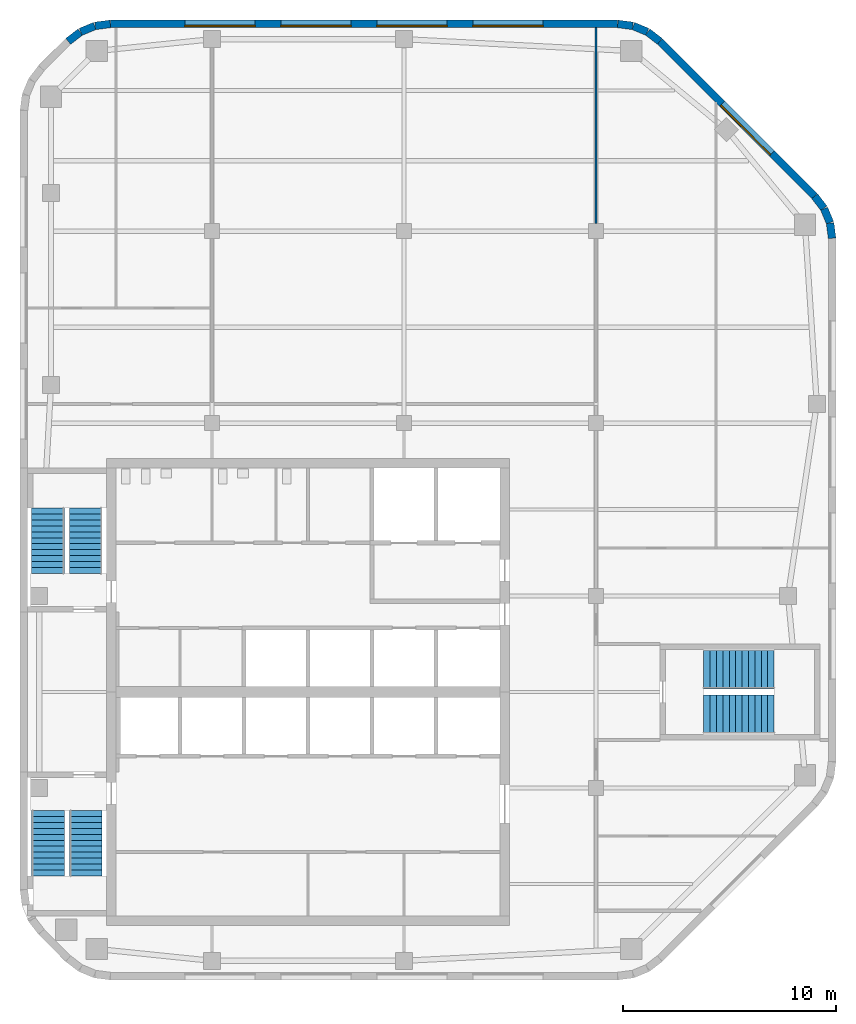
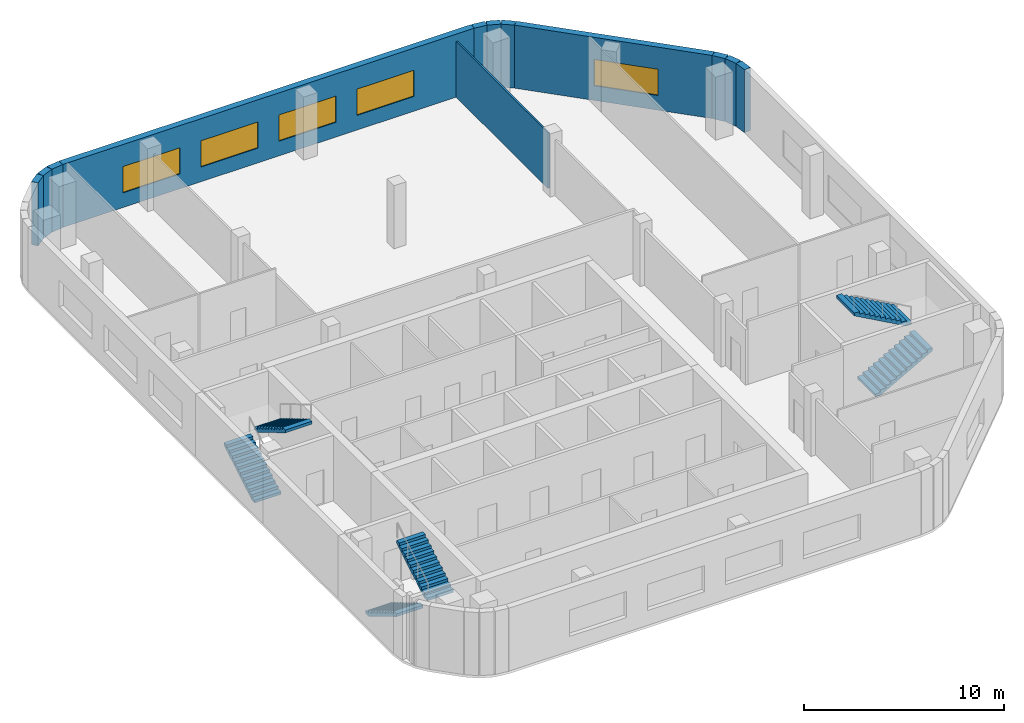
# One storey, part 5 of 7: 12 walls, 6 stair flights, 5 windows, 5 openings, 3 elements without a shape of their own.
"""IFC4 building model written with IfcOpenShell, lengths in metres."""

from ifc_helpers import new_model, si_unit, direction, frame, frame_2d, origin, place, context, subcontext, project, spatial, polyline, rectangle, outline, extrude, material, layer, layer_set, type_object, element, fill, aggregate, save


model = new_model("IFC4")

# Units and contexts
model_context = context("Model", 3, precision=1e-05, world=origin(), true_north=direction((0.0, 1.0)))
body_context = subcontext(model_context, "Body", "Model", "MODEL_VIEW")
ifc_project = project(units=[si_unit("LENGTHUNIT", "METRE"), si_unit("AREAUNIT", "SQUARE_METRE"), si_unit("VOLUMEUNIT", "CUBIC_METRE"), si_unit("PLANEANGLEUNIT", "RADIAN"), si_unit("MASSUNIT", "GRAM", prefix="KILO")], contexts=[model_context])

# Site, building, storey
site_placement = place(None, origin())
site = spatial("IfcSite", under=ifc_project, at=site_placement, CompositionType="ELEMENT")
building_placement = place(site_placement, origin())
building = spatial("IfcBuilding", under=site, at=building_placement, Name="Cinnabar Reach Civic Tower", CompositionType="ELEMENT")
storey_placement = place(building_placement, frame((0.0, 0.0, 275.0)))
storey = spatial("IfcBuildingStorey", under=building, at=storey_placement, Name="L66", CompositionType="ELEMENT", Elevation=275.0)

# Walls
ifc_material_1 = material(Name="Facing brick with insulated backing", Category="masonry")
ifc_layer_1 = layer(ifc_material_1, 0.36)
ifc_layer_set_1 = layer_set([ifc_layer_1], Name="Brick corner wall")
wall_type_1 = type_object("IfcWallType", Name="Brick corner wall", PredefinedType="STANDARD", material=ifc_layer_set_1)
for number, where, z_axis, x_axis, name in (
    (1, (38.067, 52.7686, 0.0), (0.0, 0.0, 1.0), (-0.13055608231, 0.99144092581, 0.0), "Brick corner wall"),
    (2, (37.9681, 53.4973, 0.0), (0.0, 0.0, 1.0), (-0.382702709855, 0.923871547278, 0.0), "Brick corner wall"),
):
    element("IfcWall", number, at=place(storey_placement, frame(where, z_axis=z_axis, x_axis=x_axis)), inside=storey, type_object=wall_type_1, Name=name, PredefinedType="STANDARD", context=body_context, shape_type="SweptSolid", body=[
        extrude(rectangle(XDim=0.7131, YDim=0.36, at=frame_2d((0.3565, 0.0))), origin(), (0.0, 0.0, 1.0), 3.85),
    ])
for number, where, z_axis, x_axis, name in (
    (3, (37.684, 54.1755, 0.0), (0.0, 0.0, 1.0), (-0.608802368033, 0.793321924995, 0.0), "Brick corner wall"),
    (4, (29.9913, 61.9998, 0.0), (0.0, 0.0, 1.0), (-0.793321924995, 0.608802368033, 0.0), "Brick corner wall"),
):
    element("IfcWall", number, at=place(storey_placement, frame(where, z_axis=z_axis, x_axis=x_axis)), inside=storey, type_object=wall_type_1, Name=name, PredefinedType="STANDARD", context=body_context, shape_type="SweptSolid", body=[
        extrude(rectangle(XDim=0.7132, YDim=0.36, at=frame_2d((0.3566, 0.0))), origin(), (0.0, 0.0, 1.0), 3.85),
    ])
for number, where, z_axis, x_axis, name in (
    (5, (29.4061, 62.4452, 0.0), (0.0, 0.0, 1.0), (-0.923871547278, 0.382702709855, 0.0), "Brick corner wall"),
    (6, (28.7256, 62.7239, 0.0), (0.0, 0.0, 1.0), (-0.99144092581, 0.13055608231, 0.0), "Brick corner wall"),
    (7, (4.2314, 62.817, 0.0), (0.0, 0.0, 1.0), (-0.99144092581, -0.13055608231, 0.0), "Brick corner wall"),
    (8, (3.5027, 62.7181, 0.0), (0.0, 0.0, 1.0), (-0.923871547278, -0.382702709855, 0.0), "Brick corner wall"),
):
    element("IfcWall", number, at=place(storey_placement, frame(where, z_axis=z_axis, x_axis=x_axis)), inside=storey, type_object=wall_type_1, Name=name, PredefinedType="STANDARD", context=body_context, shape_type="SweptSolid", body=[
        extrude(rectangle(XDim=0.7131, YDim=0.36, at=frame_2d((0.3565, 0.0))), origin(), (0.0, 0.0, 1.0), 3.85),
    ])
wall_1_placement = place(storey_placement, frame((2.8245, 62.434, 0.0), z_axis=(0.0, 0.0, 1.0), x_axis=(-0.793321924995, -0.608802368033, 0.0)))
element("IfcWall", 9, at=wall_1_placement, inside=storey, type_object=wall_type_1, Name="Brick corner wall", PredefinedType="STANDARD", context=body_context, shape_type="SweptSolid", body=[
    extrude(rectangle(XDim=0.7132, YDim=0.36, at=frame_2d((0.3566, 0.0))), origin(), (0.0, 0.0, 1.0), 3.85),
])

# Wall, opening, window
ifc_layer_2 = layer(ifc_material_1, 0.36)
ifc_layer_set_2 = layer_set([ifc_layer_2], Name="Brick pier and spandrel wall")
wall_type_2 = type_object("IfcWallType", Name="Brick pier and spandrel wall", PredefinedType="STANDARD", material=ifc_layer_set_2)
wall_2_placement = place(storey_placement, frame((37.244, 54.7514, 0.0), z_axis=(0.0, 0.0, 1.0), x_axis=(-0.707106781187, 0.707106781187, 0.0)))
wall_2 = element("IfcWall", 10, at=wall_2_placement, inside=storey, type_object=wall_type_2, Name="Brick facade wall", PredefinedType="STANDARD", context=body_context, shape_type="SweptSolid", body=[
    extrude(rectangle(XDim=10.2426, YDim=0.36, at=frame_2d((5.1213, 0.0))), origin(), (0.0, 0.0, 1.0), 3.85),
])
opening_1_placement = place(wall_2_placement, frame((2.8213, 0.0, 0.9)))
opening_1 = element("IfcOpeningElement", 11, at=opening_1_placement, cuts=wall_2, Name="Opening W2305", PredefinedType="OPENING", context=body_context, shape_type="SweptSolid", body=[
    extrude(rectangle(XDim=3.3, YDim=1.6, at=frame_2d((1.65, 0.8))), frame((0.0, 0.19, 0.0), z_axis=(0.0, -1.0, 0.0), x_axis=(1.0, 0.0, 0.0)), (0.0, 0.0, 1.0), 0.38),
])
ifc_material_2 = material(Name="Clear double glazing in aluminium frame", Category="aluminium")
window_type = type_object("IfcWindowType", Name="Deep-set window A", PartitioningType="SINGLE_PANEL", PredefinedType="WINDOW", material=ifc_material_2)
window_1_placement = place(opening_1_placement, origin())
window_1 = element("IfcWindow", 12, at=window_1_placement, inside=storey, type_object=window_type, Name="Window northeast face", OverallHeight=1.6, OverallWidth=3.3, PartitioningType="SINGLE_PANEL", PredefinedType="WINDOW", context=body_context, shape_type="SweptSolid", body=[
    extrude(rectangle(XDim=3.3, YDim=1.6, at=frame_2d((1.65, 0.8))), frame((0.0, 0.13, 0.0), z_axis=(0.0, -1.0, 0.0), x_axis=(1.0, 0.0, 0.0)), (0.0, 0.0, 1.0), 0.06),
])
fill(opening_1, window_1)

# Wall, openings, windows
wall_3_placement = place(storey_placement, frame((28.0074, 62.82, 0.0), z_axis=(0.0, 0.0, 1.0), x_axis=(-1.0, 0.0, 0.0)))
wall_3 = element("IfcWall", 13, at=wall_3_placement, inside=storey, type_object=wall_type_2, Name="Brick facade wall", PredefinedType="STANDARD", context=body_context, shape_type="SweptSolid", body=[
    extrude(rectangle(XDim=23.7648, YDim=0.36, at=frame_2d((11.8824, 0.0))), origin(), (0.0, 0.0, 1.0), 3.85),
])
opening_2_placement = place(wall_3_placement, frame((3.4824, 0.0, 0.9)))
opening_2 = element("IfcOpeningElement", 14, at=opening_2_placement, cuts=wall_3, Name="Opening W2306", PredefinedType="OPENING", context=body_context, shape_type="SweptSolid", body=[
    extrude(rectangle(XDim=3.3, YDim=1.6, at=frame_2d((1.65, 0.8))), frame((0.0, 0.19, 0.0), z_axis=(0.0, -1.0, 0.0), x_axis=(1.0, 0.0, 0.0)), (0.0, 0.0, 1.0), 0.38),
])
opening_3_placement = place(wall_3_placement, frame((7.9824, 0.0, 0.9)))
opening_3 = element("IfcOpeningElement", 15, at=opening_3_placement, cuts=wall_3, Name="Opening W2307", PredefinedType="OPENING", context=body_context, shape_type="SweptSolid", body=[
    extrude(rectangle(XDim=3.3, YDim=1.6, at=frame_2d((1.65, 0.8))), frame((0.0, 0.19, 0.0), z_axis=(0.0, -1.0, 0.0), x_axis=(1.0, 0.0, 0.0)), (0.0, 0.0, 1.0), 0.38),
])
opening_4_placement = place(wall_3_placement, frame((12.4824, 0.0, 0.9)))
opening_4 = element("IfcOpeningElement", 16, at=opening_4_placement, cuts=wall_3, Name="Opening W2308", PredefinedType="OPENING", context=body_context, shape_type="SweptSolid", body=[
    extrude(rectangle(XDim=3.3, YDim=1.6, at=frame_2d((1.65, 0.8))), frame((0.0, 0.19, 0.0), z_axis=(0.0, -1.0, 0.0), x_axis=(1.0, 0.0, 0.0)), (0.0, 0.0, 1.0), 0.38),
])
opening_5_placement = place(wall_3_placement, frame((16.9824, 0.0, 0.9)))
opening_5 = element("IfcOpeningElement", 17, at=opening_5_placement, cuts=wall_3, Name="Opening W2309", PredefinedType="OPENING", context=body_context, shape_type="SweptSolid", body=[
    extrude(rectangle(XDim=3.3, YDim=1.6, at=frame_2d((1.65, 0.8))), frame((0.0, 0.19, 0.0), z_axis=(0.0, -1.0, 0.0), x_axis=(1.0, 0.0, 0.0)), (0.0, 0.0, 1.0), 0.38),
])
window_2_placement = place(opening_2_placement, origin())
window_2 = element("IfcWindow", 18, at=window_2_placement, inside=storey, type_object=window_type, Name="Window north face", OverallHeight=1.6, OverallWidth=3.3, PartitioningType="SINGLE_PANEL", PredefinedType="WINDOW", context=body_context, shape_type="SweptSolid", body=[
    extrude(rectangle(XDim=3.3, YDim=1.6, at=frame_2d((1.65, 0.8))), frame((0.0, 0.13, 0.0), z_axis=(0.0, -1.0, 0.0), x_axis=(1.0, 0.0, 0.0)), (0.0, 0.0, 1.0), 0.06),
])
fill(opening_2, window_2)
window_3_placement = place(opening_3_placement, origin())
window_3 = element("IfcWindow", 19, at=window_3_placement, inside=storey, type_object=window_type, Name="Window north face", OverallHeight=1.6, OverallWidth=3.3, PartitioningType="SINGLE_PANEL", PredefinedType="WINDOW", context=body_context, shape_type="SweptSolid", body=[
    extrude(rectangle(XDim=3.3, YDim=1.6, at=frame_2d((1.65, 0.8))), frame((0.0, 0.13, 0.0), z_axis=(0.0, -1.0, 0.0), x_axis=(1.0, 0.0, 0.0)), (0.0, 0.0, 1.0), 0.06),
])
fill(opening_3, window_3)
window_4_placement = place(opening_4_placement, origin())
window_4 = element("IfcWindow", 20, at=window_4_placement, inside=storey, type_object=window_type, Name="Window north face", OverallHeight=1.6, OverallWidth=3.3, PartitioningType="SINGLE_PANEL", PredefinedType="WINDOW", context=body_context, shape_type="SweptSolid", body=[
    extrude(rectangle(XDim=3.3, YDim=1.6, at=frame_2d((1.65, 0.8))), frame((0.0, 0.13, 0.0), z_axis=(0.0, -1.0, 0.0), x_axis=(1.0, 0.0, 0.0)), (0.0, 0.0, 1.0), 0.06),
])
fill(opening_4, window_4)
window_5_placement = place(opening_5_placement, origin())
window_5 = element("IfcWindow", 21, at=window_5_placement, inside=storey, type_object=window_type, Name="Window north face", OverallHeight=1.6, OverallWidth=3.3, PartitioningType="SINGLE_PANEL", PredefinedType="WINDOW", context=body_context, shape_type="SweptSolid", body=[
    extrude(rectangle(XDim=3.3, YDim=1.6, at=frame_2d((1.65, 0.8))), frame((0.0, 0.13, 0.0), z_axis=(0.0, -1.0, 0.0), x_axis=(1.0, 0.0, 0.0)), (0.0, 0.0, 1.0), 0.06),
])
fill(opening_5, window_5)

# Wall
ifc_material_3 = material(Name="Gypsum board on steel studs", Category="steel")
ifc_layer_3 = layer(ifc_material_3, 0.1)
ifc_layer_set_3 = layer_set([ifc_layer_3], Name="Partition wall 100 T1")
wall_type_3 = type_object("IfcWallType", Name="Partition wall 100 T1", PredefinedType="PARTITIONING", material=ifc_layer_set_3)
wall_4_placement = place(storey_placement, frame((27.0, 53.45, 0.0), z_axis=(0.0, 0.0, 1.0), x_axis=(0.0, 1.0, 0.0)))
element("IfcWall", 22, at=wall_4_placement, inside=storey, type_object=wall_type_3, Name="Partition wall 39", PredefinedType="PARTITIONING", context=body_context, shape_type="SweptSolid", body=[
    extrude(rectangle(XDim=9.19, YDim=0.1, at=frame_2d((4.595, 0.0))), origin(), (0.0, 0.0, 1.0), 3.4),
])

# Stair, stair flights
ifc_material_4 = material(Name="Concrete C40/50", Category="concrete")
stair_type = type_object("IfcStairType", Name="T1 Exit stair, half-turn", PredefinedType="HALF_TURN_STAIR", material=ifc_material_4)
stair_1_placement = place(storey_placement, origin())
stair_1 = element("IfcStair", 23, at=stair_1_placement, inside=storey, type_object=stair_type, Name="Stair T1-S1", PredefinedType="HALF_TURN_STAIR")
stair_flight_type = type_object("IfcStairFlightType", Name="T1 Stair flight, concrete", PredefinedType="STRAIGHT", material=ifc_material_4)
stair_flight_1_placement = place(storey_placement, frame((1.3125, 25.95, 0.0), z_axis=(0.0, 0.0, 1.0), x_axis=(0.0, -1.0, 0.0)))
stair_flight_1 = element("IfcStairFlight", 24, at=stair_flight_1_placement, type_object=stair_flight_type, Name="T1-S1 flight 1", NumberOfRisers=12, NumberOfTreads=11, PredefinedType="STRAIGHT", RiserHeight=0.166666667, TreadLength=0.28, context=body_context, shape_type="SweptSolid", body=[
    extrude(outline(polyline([(0.0, 0.0), (0.0, 0.1667), (0.28, 0.1667), (0.28, 0.3333), (0.56, 0.3333), (0.56, 0.5), (0.84, 0.5), (0.84, 0.6667), (1.12, 0.6667), (1.12, 0.8333), (1.4, 0.8333), (1.4, 1.0), (1.68, 1.0), (1.68, 1.1667), (1.96, 1.1667), (1.96, 1.3333), (2.24, 1.3333), (2.24, 1.5), (2.52, 1.5), (2.52, 1.6667), (2.8, 1.6667), (2.8, 1.8333), (3.08, 1.8333), (3.08, 2.0), (3.08, 1.6588), (0.2933, 0.0), (0.0, 0.0)])), frame((0.0, 0.7625, 0.0), z_axis=(0.0, -1.0, 0.0), x_axis=(1.0, 0.0, 0.0)), (0.0, 0.0, 1.0), 1.525),
])
stair_flight_2_placement = place(storey_placement, frame((3.0875, 22.87, 2.0), z_axis=(0.0, 0.0, 1.0), x_axis=(0.0, 1.0, 0.0)))
stair_flight_2 = element("IfcStairFlight", 25, at=stair_flight_2_placement, type_object=stair_flight_type, Name="T1-S1 flight 2", NumberOfRisers=12, NumberOfTreads=11, PredefinedType="STRAIGHT", RiserHeight=0.166666667, TreadLength=0.28, context=body_context, shape_type="SweptSolid", body=[
    extrude(outline(polyline([(0.0, 0.0), (0.0, 0.1667), (0.28, 0.1667), (0.28, 0.3333), (0.56, 0.3333), (0.56, 0.5), (0.84, 0.5), (0.84, 0.6667), (1.12, 0.6667), (1.12, 0.8333), (1.4, 0.8333), (1.4, 1.0), (1.68, 1.0), (1.68, 1.1667), (1.96, 1.1667), (1.96, 1.3333), (2.24, 1.3333), (2.24, 1.5), (2.52, 1.5), (2.52, 1.6667), (2.8, 1.6667), (2.8, 1.8333), (3.08, 1.8333), (3.08, 2.0), (3.08, 1.6588), (0.2933, 0.0), (0.0, 0.0)])), frame((0.0, 0.7625, 0.0), z_axis=(0.0, -1.0, 0.0), x_axis=(1.0, 0.0, 0.0)), (0.0, 0.0, 1.0), 1.525),
])
aggregate(stair_1, [stair_flight_1, stair_flight_2])

stair_2_placement = place(storey_placement, origin())
stair_2 = element("IfcStair", 26, at=stair_2_placement, inside=storey, type_object=stair_type, Name="Stair T1-S2", PredefinedType="HALF_TURN_STAIR")
stair_flight_3_placement = place(storey_placement, frame((1.3125, 37.05, 0.0), z_axis=(0.0, 0.0, 1.0), x_axis=(0.0, 1.0, 0.0)))
stair_flight_3 = element("IfcStairFlight", 27, at=stair_flight_3_placement, type_object=stair_flight_type, Name="T1-S2 flight 1", NumberOfRisers=12, NumberOfTreads=11, PredefinedType="STRAIGHT", RiserHeight=0.166666667, TreadLength=0.28, context=body_context, shape_type="SweptSolid", body=[
    extrude(outline(polyline([(0.0, 0.0), (0.0, 0.1667), (0.28, 0.1667), (0.28, 0.3333), (0.56, 0.3333), (0.56, 0.5), (0.84, 0.5), (0.84, 0.6667), (1.12, 0.6667), (1.12, 0.8333), (1.4, 0.8333), (1.4, 1.0), (1.68, 1.0), (1.68, 1.1667), (1.96, 1.1667), (1.96, 1.3333), (2.24, 1.3333), (2.24, 1.5), (2.52, 1.5), (2.52, 1.6667), (2.8, 1.6667), (2.8, 1.8333), (3.08, 1.8333), (3.08, 2.0), (3.08, 1.6588), (0.2933, 0.0), (0.0, 0.0)])), frame((0.0, 0.7625, 0.0), z_axis=(0.0, -1.0, 0.0), x_axis=(1.0, 0.0, 0.0)), (0.0, 0.0, 1.0), 1.525),
])
stair_flight_4_placement = place(storey_placement, frame((3.0875, 40.13, 2.0), z_axis=(0.0, 0.0, 1.0), x_axis=(0.0, -1.0, 0.0)))
stair_flight_4 = element("IfcStairFlight", 28, at=stair_flight_4_placement, type_object=stair_flight_type, Name="T1-S2 flight 2", NumberOfRisers=12, NumberOfTreads=11, PredefinedType="STRAIGHT", RiserHeight=0.166666667, TreadLength=0.28, context=body_context, shape_type="SweptSolid", body=[
    extrude(outline(polyline([(0.0, 0.0), (0.0, 0.1667), (0.28, 0.1667), (0.28, 0.3333), (0.56, 0.3333), (0.56, 0.5), (0.84, 0.5), (0.84, 0.6667), (1.12, 0.6667), (1.12, 0.8333), (1.4, 0.8333), (1.4, 1.0), (1.68, 1.0), (1.68, 1.1667), (1.96, 1.1667), (1.96, 1.3333), (2.24, 1.3333), (2.24, 1.5), (2.52, 1.5), (2.52, 1.6667), (2.8, 1.6667), (2.8, 1.8333), (3.08, 1.8333), (3.08, 2.0), (3.08, 1.6588), (0.2933, 0.0), (0.0, 0.0)])), frame((0.0, 0.7625, 0.0), z_axis=(0.0, -1.0, 0.0), x_axis=(1.0, 0.0, 0.0)), (0.0, 0.0, 1.0), 1.525),
])
aggregate(stair_2, [stair_flight_3, stair_flight_4])

stair_3_placement = place(storey_placement, origin())
stair_3 = element("IfcStair", 29, at=stair_3_placement, inside=storey, type_object=stair_type, Name="Stair T1-S3", PredefinedType="HALF_TURN_STAIR")
stair_flight_5_placement = place(storey_placement, frame((32.05, 30.45, 0.0), z_axis=(0.0, 0.0, 1.0), x_axis=(1.0, 0.0, 0.0)))
stair_flight_5 = element("IfcStairFlight", 30, at=stair_flight_5_placement, type_object=stair_flight_type, Name="T1-S3 flight 1", NumberOfRisers=12, NumberOfTreads=11, PredefinedType="STRAIGHT", RiserHeight=0.166666667, TreadLength=0.3, context=body_context, shape_type="SweptSolid", body=[
    extrude(outline(polyline([(0.0, 0.0), (0.0, 0.1667), (0.3, 0.1667), (0.3, 0.3333), (0.6, 0.3333), (0.6, 0.5), (0.9, 0.5), (0.9, 0.6667), (1.2, 0.6667), (1.2, 0.8333), (1.5, 0.8333), (1.5, 1.0), (1.8, 1.0), (1.8, 1.1667), (2.1, 1.1667), (2.1, 1.3333), (2.4, 1.3333), (2.4, 1.5), (2.7, 1.5), (2.7, 1.6667), (3.0, 1.6667), (3.0, 1.8333), (3.3, 1.8333), (3.3, 2.0), (3.3, 1.6617), (0.3089, 0.0), (0.0, 0.0)])), frame((0.0, 0.9, 0.0), z_axis=(0.0, -1.0, 0.0), x_axis=(1.0, 0.0, 0.0)), (0.0, 0.0, 1.0), 1.8),
])
stair_flight_6_placement = place(storey_placement, frame((35.35, 32.55, 2.0), z_axis=(0.0, 0.0, 1.0), x_axis=(-1.0, 0.0, 0.0)))
stair_flight_6 = element("IfcStairFlight", 31, at=stair_flight_6_placement, type_object=stair_flight_type, Name="T1-S3 flight 2", NumberOfRisers=12, NumberOfTreads=11, PredefinedType="STRAIGHT", RiserHeight=0.166666667, TreadLength=0.3, context=body_context, shape_type="SweptSolid", body=[
    extrude(outline(polyline([(0.0, 0.0), (0.0, 0.1667), (0.3, 0.1667), (0.3, 0.3333), (0.6, 0.3333), (0.6, 0.5), (0.9, 0.5), (0.9, 0.6667), (1.2, 0.6667), (1.2, 0.8333), (1.5, 0.8333), (1.5, 1.0), (1.8, 1.0), (1.8, 1.1667), (2.1, 1.1667), (2.1, 1.3333), (2.4, 1.3333), (2.4, 1.5), (2.7, 1.5), (2.7, 1.6667), (3.0, 1.6667), (3.0, 1.8333), (3.3, 1.8333), (3.3, 2.0), (3.3, 1.6617), (0.3089, 0.0), (0.0, 0.0)])), frame((0.0, 0.9, 0.0), z_axis=(0.0, -1.0, 0.0), x_axis=(1.0, 0.0, 0.0)), (0.0, 0.0, 1.0), 1.8),
])
aggregate(stair_3, [stair_flight_5, stair_flight_6])

save(model, "model.ifc")
